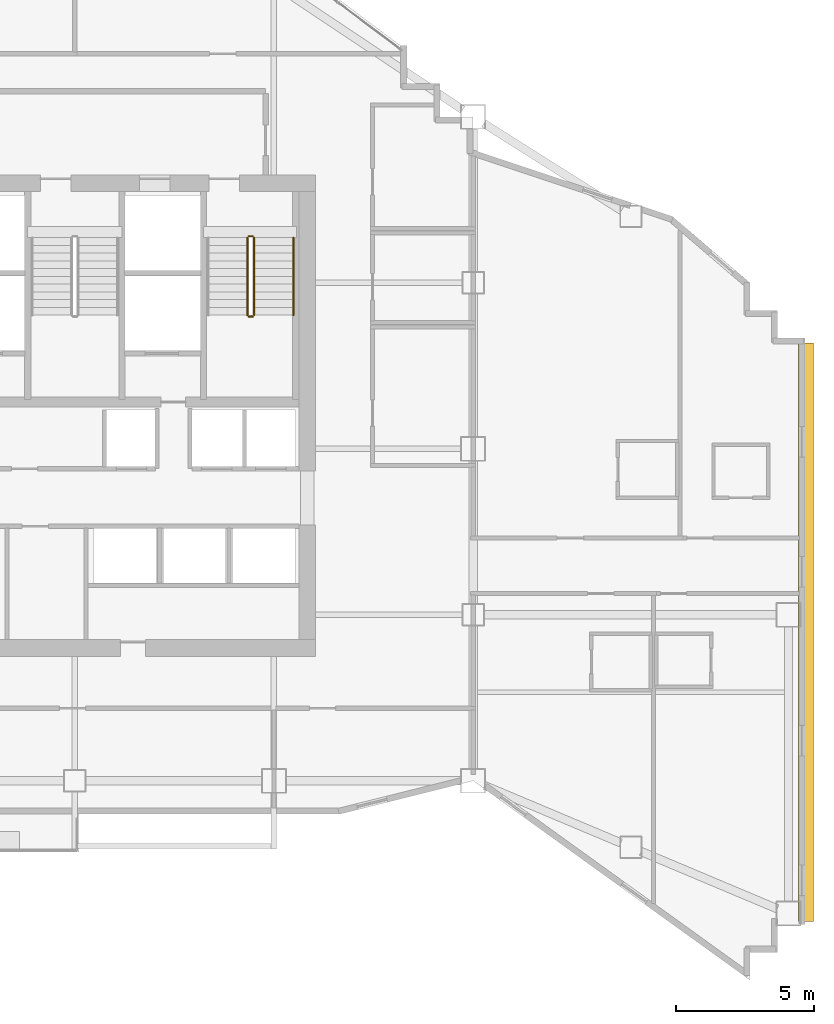
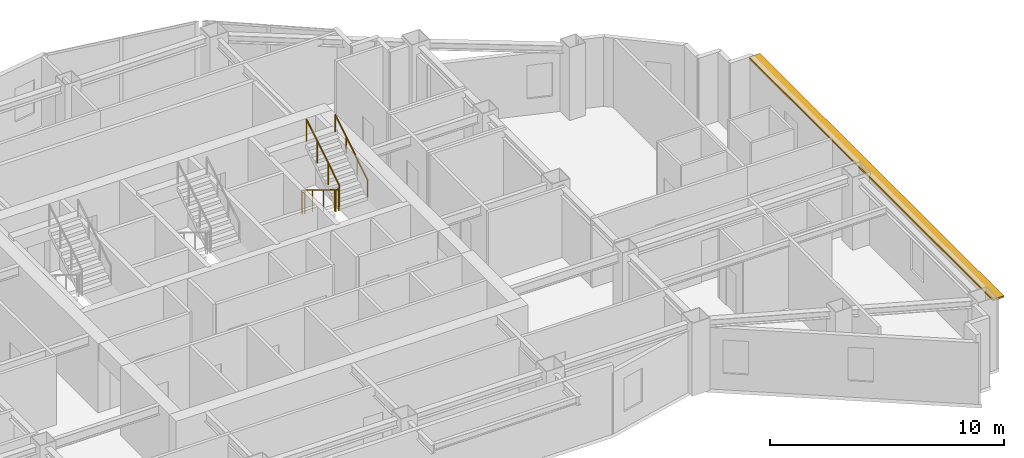
# One storey, part 12 of 12: 5 railings, 1 shading device.
"""IFC4 building model written with IfcOpenShell, lengths in metres."""

import ifcopenshell
import ifcopenshell.guid

model = None  # the IFC model being written
_history = None  # IfcOwnerHistory: only IFC2X3 demands one
_inside = {}  # id of a spatial element -> (the spatial element, [elements in it])
_under = {}  # id of a project, library or spatial element -> (it, [spatial elements below it])
_declared = {}  # id of a project -> (the project, [libraries it declares])
_typed = {}  # id of a type object -> (the type object, [elements of that type])
_made_of = {}  # id of a material, layer set ... -> (it, [elements and type objects made of it])


def new_model(schema):
    """Start an empty IFC model of exactly this schema.

    Asked for "IFC4X3", IfcOpenShell would pick the latest addendum, in which some entities
    have other attributes; the version numbers below select the first issue.
    IFC2X3 requires an IfcOwnerHistory on every rooted entity: one is made here for all.
    """
    global model, _history
    if schema == "IFC4X3":
        model = ifcopenshell.file(schema_version=(4, 3, 0, 0))
    else:
        model = ifcopenshell.file(schema=schema)
    _inside.clear()
    _under.clear()
    _declared.clear()
    _typed.clear()
    _made_of.clear()
    _history = None
    if model.schema == "IFC2X3":
        org = make("IfcOrganization", Name="unknown")
        user = make(
            "IfcPersonAndOrganization",
            ThePerson=make("IfcPerson", FamilyName="unknown"),
            TheOrganization=org,
        )
        app = make(
            "IfcApplication",
            ApplicationDeveloper=org,
            Version="unknown",
            ApplicationFullName="unknown",
            ApplicationIdentifier="unknown",
        )
        _history = make(
            "IfcOwnerHistory",
            OwningUser=user,
            OwningApplication=app,
            ChangeAction="ADDED",
            CreationDate=0,
        )
    return model


def make(cls, **values):
    """One entity of the class cls with the attributes given. An attribute that is None is left unset."""
    return model.create_entity(
        cls, **{name: value for name, value in values.items() if value is not None}
    )


def rooted(cls, **values):
    """An entity with a GlobalId (a new one), such as an element, a storey or a relation."""
    return make(cls, GlobalId=ifcopenshell.guid.new(), OwnerHistory=_history, **values)


def si_unit(unit_type, name, prefix=None):
    """IfcSIUnit, for example si_unit("LENGTHUNIT", "METRE", prefix="MILLI")."""
    return make("IfcSIUnit", UnitType=unit_type, Prefix=prefix, Name=name)


def assignment(units):
    """IfcUnitAssignment: the units of a project."""
    return None if units is None else make("IfcUnitAssignment", Units=units)


def point(xyz):
    """IfcCartesianPoint."""
    return None if xyz is None else make("IfcCartesianPoint", Coordinates=xyz)


def direction(xyz):
    """IfcDirection."""
    return None if xyz is None else make("IfcDirection", DirectionRatios=xyz)


def frame(location, z_axis=None, x_axis=None):
    """IfcAxis2Placement3D, a coordinate frame: its origin and axes. An axis left out is left unset."""
    return make(
        "IfcAxis2Placement3D",
        Location=point(location),
        Axis=direction(z_axis),
        RefDirection=direction(x_axis),
    )


def frame_2d(location, x_axis=None):
    """IfcAxis2Placement2D, a coordinate frame in the plane: its origin and x axis."""
    return make(
        "IfcAxis2Placement2D", Location=point(location), RefDirection=direction(x_axis)
    )


def origin():
    """The frame at (0, 0, 0) with its axes left unset."""
    return frame((0.0, 0.0, 0.0))


def origin_2d():
    """The frame at (0, 0) in the plane with its x axis left unset."""
    return frame_2d((0.0, 0.0))


def place(relative_to, where):
    """IfcLocalPlacement: puts the frame where relative to a parent placement (None: the world)."""
    return make(
        "IfcLocalPlacement", PlacementRelTo=relative_to, RelativePlacement=where
    )


def context(
    kind, dimensions, precision=None, world=None, true_north=None, identifier=None
):
    """IfcGeometricRepresentationContext, for example the 3D "Model" context."""
    return make(
        "IfcGeometricRepresentationContext",
        ContextIdentifier=identifier,
        ContextType=kind,
        CoordinateSpaceDimension=dimensions,
        Precision=precision,
        WorldCoordinateSystem=world,
        TrueNorth=true_north,
    )


def subcontext(parent, identifier, kind, view, scale=None):
    """IfcGeometricRepresentationSubContext, for example "Body" below "Model"."""
    return make(
        "IfcGeometricRepresentationSubContext",
        ContextIdentifier=identifier,
        ContextType=kind,
        ParentContext=parent,
        TargetScale=scale,
        TargetView=view,
    )


def project(units=None, contexts=None):
    """IfcProject with its units and contexts."""
    return rooted(
        "IfcProject",
        Name="project",
        RepresentationContexts=contexts,
        UnitsInContext=assignment(units),
    )


def spatial(cls, under=None, at=None, **own):
    """A site, building, storey or space (cls), placed at a placement, below another one or the project."""
    s = rooted(cls, ObjectPlacement=at, **own)
    if under is not None:
        _under.setdefault(under.id(), (under, []))[1].append(s)
    return s


def profile(cls, at=None, kind="AREA", **sizes):
    """A parametric profile (cls). Its sizes go by their IFC names, for example OverallWidth=200.0."""
    return make(cls, ProfileType=kind, Position=at, **sizes)


def rectangle(**sizes):
    """IfcRectangleProfileDef."""
    return profile("IfcRectangleProfileDef", **sizes)


def circle(**sizes):
    """IfcCircleProfileDef."""
    return profile("IfcCircleProfileDef", **sizes)


def extrude(swept, where, along, depth):
    """IfcExtrudedAreaSolid: the profile swept, set in the frame where, extruded along a direction by depth."""
    return make(
        "IfcExtrudedAreaSolid",
        SweptArea=swept,
        Position=where,
        ExtrudedDirection=direction(along),
        Depth=depth,
    )


def shape(context_of_items, identifier, shape_type, items):
    """IfcShapeRepresentation: the items that make up one representation, for example the "Body"."""
    return make(
        "IfcShapeRepresentation",
        ContextOfItems=context_of_items,
        RepresentationIdentifier=identifier,
        RepresentationType=shape_type,
        Items=items,
    )


def material(Name=None, Category=None):
    """IfcMaterial."""
    return make("IfcMaterial", Name=Name, Category=Category)


def layer(
    of_material, thickness, ventilated=None, Name=None, Category=None, Priority=None
):
    """IfcMaterialLayer: one layer of a wall or slab, of a material (None: an air gap)."""
    return make(
        "IfcMaterialLayer",
        Material=of_material,
        LayerThickness=thickness,
        IsVentilated=ventilated,
        Name=Name,
        Category=Category,
        Priority=Priority,
    )


def layer_set(layers, Name=None):
    """IfcMaterialLayerSet."""
    return make("IfcMaterialLayerSet", MaterialLayers=layers, LayerSetName=Name)


def made_of(thing, what):
    """Note that an element or type object is made of a material, layer set ...; save() writes the relation."""
    if what is not None:
        _made_of.setdefault(what.id(), (what, []))[1].append(thing)
    return thing


def type_object(cls, material=None, **own):
    """A type object (cls), such as IfcWallType, which elements share."""
    return made_of(rooted(cls, **own), material)


def element(
    cls,
    number,
    at=None,
    inside=None,
    cuts=None,
    type_object=None,
    material=None,
    context=None,
    identifier="Body",
    shape_type=None,
    held_by="IfcProductDefinitionShape",
    body=None,
    shapes=None,
    **own,
):
    """One element of the class cls, such as IfcWall. Its Tag is "e" and its number.

    at: its placement. inside: the storey or other place that contains it. cuts: it is an
    opening in that element (IfcRelVoidsElement). A single representation is given by context,
    identifier, shape_type and body (its items); several are given by shapes. held_by: the class
    of the entity that holds the representations. save() writes the other relations.
    """
    e = rooted(cls, Tag="e%d" % number, ObjectPlacement=at, **own)
    if body is not None:
        shapes = [shape(context, identifier, shape_type, body)]
    if shapes is not None:
        e.Representation = make(held_by, Representations=shapes)
    if inside is not None:
        _inside.setdefault(inside.id(), (inside, []))[1].append(e)
    if cuts is not None:
        rooted(
            "IfcRelVoidsElement", RelatingBuildingElement=cuts, RelatedOpeningElement=e
        )
    if type_object is not None:
        _typed.setdefault(type_object.id(), (type_object, []))[1].append(e)
    return made_of(e, material)


def aggregate(whole, parts):
    """IfcRelAggregates: a whole, such as a stair, and the parts it consists of."""
    return rooted("IfcRelAggregates", RelatingObject=whole, RelatedObjects=parts)


def save(model, path):
    """Write the relations noted so far, then the file.

    IfcRelAggregates (storeys below a building ...), IfcRelContainedInSpatialStructure (elements
    in a storey), IfcRelDefinesByType, IfcRelAssociatesMaterial and IfcRelDeclares: one each for
    every whole, place, type object, material and project.
    """
    for whole, parts in _under.values():
        aggregate(whole, parts)
    for where, things in _inside.values():
        rooted(
            "IfcRelContainedInSpatialStructure",
            RelatedElements=things,
            RelatingStructure=where,
        )
    for kind, things in _typed.values():
        rooted("IfcRelDefinesByType", RelatedObjects=things, RelatingType=kind)
    for what, things in _made_of.values():
        rooted("IfcRelAssociatesMaterial", RelatedObjects=things, RelatingMaterial=what)
    for by, libraries in _declared.values():
        rooted("IfcRelDeclares", RelatingContext=by, RelatedDefinitions=libraries)
    model.write(path)


model = new_model("IFC4")

# Units and contexts
model_context = context("Model", 3, precision=1e-05, world=origin(), true_north=direction((0.0, 1.0)))
body_context = subcontext(model_context, "Body", "Model", "MODEL_VIEW")
ifc_project = project(units=[si_unit("LENGTHUNIT", "METRE"), si_unit("AREAUNIT", "SQUARE_METRE"), si_unit("VOLUMEUNIT", "CUBIC_METRE"), si_unit("PLANEANGLEUNIT", "RADIAN"), si_unit("MASSUNIT", "GRAM", prefix="KILO")], contexts=[model_context])

# Site, building, storey
site_placement = place(None, origin())
site = spatial("IfcSite", under=ifc_project, at=site_placement, CompositionType="ELEMENT")
building_placement = place(site_placement, origin())
building = spatial("IfcBuilding", under=site, at=building_placement, Name="Haolan Belvedere Tower", CompositionType="ELEMENT")
storey_placement = place(building_placement, frame((0.0, 0.0, 184.199951171875)))
storey = spatial("IfcBuildingStorey", under=building, at=storey_placement, Name="L46", CompositionType="ELEMENT", Elevation=184.199951171875)

# Railings
ifc_material_1 = material(Name="Brushed stainless steel 304", Category="steel")
railing_type_1 = type_object("IfcRailingType", Name="RL-STAIR-GRD-1150", PredefinedType="GUARDRAIL", material=ifc_material_1)
railing_1_placement = place(storey_placement, frame((44.639892578125, 41.22998046875, 0.1728515625)))
element("IfcRailing", 1, at=railing_1_placement, inside=storey, type_object=railing_type_1, Name="L46 ST2 stair guard 1", PredefinedType="GUARDRAIL", context=body_context, shape_type="SweptSolid", body=[
    extrude(circle(Radius=0.02392578125, at=origin_2d()), frame((0.0, 0.0, 1.1259765625), z_axis=(0.0, -0.851089632645, 0.525020415988), x_axis=(1.0, 0.0, 0.0)), (0.0, 0.0, 1.0), 3.2900390625),
    extrude(circle(Radius=0.02099609375, at=origin_2d()), origin(), (0.0, 0.0, 1.0), 1.101806640625),
    extrude(circle(Radius=0.02099609375, at=origin_2d()), frame((0.0, -0.933349609375, 0.57568359375)), (0.0, 0.0, 1.0), 1.101806640625),
    extrude(circle(Radius=0.02099609375, at=origin_2d()), frame((0.0, -1.86669921875, 1.151611328125)), (0.0, 0.0, 1.0), 1.101806640625),
    extrude(circle(Radius=0.02099609375, at=origin_2d()), frame((0.0, -2.800048828125, 1.727294921875)), (0.0, 0.0, 1.0), 1.101806640625),
])
railing_2_placement = place(storey_placement, frame((44.68994140625, 38.3798828125, 1.900146484375)))
element("IfcRailing", 2, at=railing_2_placement, inside=storey, type_object=railing_type_1, Name="L46 ST2 stair guard 2", PredefinedType="GUARDRAIL", context=body_context, shape_type="SweptSolid", body=[
    extrude(circle(Radius=0.02392578125, at=origin_2d()), frame((0.0, 0.0, 1.1259765625), z_axis=(1.0, 0.0, 0.0), x_axis=(0.0, 1.0, 0.0)), (0.0, 0.0, 1.0), 0.14013671875),
    extrude(circle(Radius=0.02099609375, at=origin_2d()), origin(), (0.0, 0.0, 1.0), 1.101806640625),
    extrude(circle(Radius=0.02099609375, at=origin_2d()), frame((0.14013671875, 0.0, 0.0)), (0.0, 0.0, 1.0), 1.101806640625),
])
railing_3_placement = place(storey_placement, frame((44.8798828125, 38.429931640625, 2.07275390625)))
element("IfcRailing", 3, at=railing_3_placement, inside=storey, type_object=railing_type_1, Name="L46 ST2 stair guard 3", PredefinedType="GUARDRAIL", context=body_context, shape_type="SweptSolid", body=[
    extrude(circle(Radius=0.02392578125, at=origin_2d()), frame((0.0, 0.0, 1.1259765625), z_axis=(0.0, 0.851089632645, 0.525020415988), x_axis=(-1.0, 0.0, 0.0)), (0.0, 0.0, 1.0), 3.2900390625),
    extrude(circle(Radius=0.02099609375, at=origin_2d()), origin(), (0.0, 0.0, 1.0), 1.101806640625),
    extrude(circle(Radius=0.02099609375, at=origin_2d()), frame((0.0, 0.933349609375, 0.57568359375)), (0.0, 0.0, 1.0), 1.101806640625),
    extrude(circle(Radius=0.02099609375, at=origin_2d()), frame((0.0, 1.86669921875, 1.151611328125)), (0.0, 0.0, 1.0), 1.101806640625),
    extrude(circle(Radius=0.02099609375, at=origin_2d()), frame((0.0, 2.800048828125, 1.727294921875)), (0.0, 0.0, 1.0), 1.101806640625),
])
railing_4_placement = place(storey_placement, frame((44.68994140625, 41.280029296875, 0.0)))
element("IfcRailing", 4, at=railing_4_placement, inside=storey, type_object=railing_type_1, Name="L46 ST2 stair guard 4", PredefinedType="GUARDRAIL", context=body_context, shape_type="SweptSolid", body=[
    extrude(circle(Radius=0.02392578125, at=origin_2d()), frame((0.0, 0.0, 1.1259765625), z_axis=(1.0, 0.0, 0.0), x_axis=(0.0, 1.0, 0.0)), (0.0, 0.0, 1.0), 0.14013671875),
    extrude(circle(Radius=0.02099609375, at=origin_2d()), origin(), (0.0, 0.0, 1.0), 1.101806640625),
    extrude(circle(Radius=0.02099609375, at=origin_2d()), frame((0.14013671875, 0.0, 0.0)), (0.0, 0.0, 1.0), 1.101806640625),
])
railing_type_2 = type_object("IfcRailingType", Name="RL-STAIR-HND-900", PredefinedType="HANDRAIL", material=ifc_material_1)
railing_5_placement = place(storey_placement, frame((46.300048828125, 38.429931640625, 2.07275390625)))
element("IfcRailing", 5, at=railing_5_placement, inside=storey, type_object=railing_type_2, Name="L46 ST2 stair handrail 2", PredefinedType="HANDRAIL", context=body_context, shape_type="SweptSolid", body=[
    extrude(circle(Radius=0.02392578125, at=origin_2d()), frame((0.0, 0.0, 0.8759765625), z_axis=(0.0, 0.851089632645, 0.525020415988), x_axis=(-1.0, 0.0, 0.0)), (0.0, 0.0, 1.0), 3.2900390625),
    extrude(circle(Radius=0.02099609375, at=origin_2d()), origin(), (0.0, 0.0, 1.0), 0.851806640625),
    extrude(circle(Radius=0.02099609375, at=origin_2d()), frame((0.0, 0.933349609375, 0.57568359375)), (0.0, 0.0, 1.0), 0.851806640625),
    extrude(circle(Radius=0.02099609375, at=origin_2d()), frame((0.0, 1.86669921875, 1.151611328125)), (0.0, 0.0, 1.0), 0.851806640625),
    extrude(circle(Radius=0.02099609375, at=origin_2d()), frame((0.0, 2.800048828125, 1.727294921875)), (0.0, 0.0, 1.0), 0.851806640625),
])

# Shading device
ifc_material_2 = material(Name="Anodised champagne-silver aluminium 6063-T6", Category="aluminium")
ifc_layer = layer(ifc_material_2, 0.080078125, Name="Anodised champagne-silver aluminium 6063-T6")
ifc_layer_set = layer_set([ifc_layer], Name="Anodised champagne-silver aluminium 6063-T6")
shading_device_type = type_object("IfcShadingDeviceType", Name="SHD-SUN-550", PredefinedType="USERDEFINED", material=ifc_layer_set)
shading_device_placement = place(storey_placement, frame((64.830078125, 26.972412109375, 3.52001953125), z_axis=(0.0, 0.0, 1.0), x_axis=(0.0, 1.0, 0.0)))
element("IfcShadingDevice", 6, at=shading_device_placement, inside=storey, type_object=shading_device_type, Name="L46 pale-metal horizontal SUNSHADE band 8.1", ObjectType="SUNSHADE", PredefinedType="USERDEFINED", context=body_context, shape_type="SweptSolid", body=[
    extrude(rectangle(XDim=20.905029296875, YDim=0.550048828125, at=origin_2d()), origin(), (0.0, 0.0, 1.0), 0.080078125),
])

save(model, "model.ifc")
